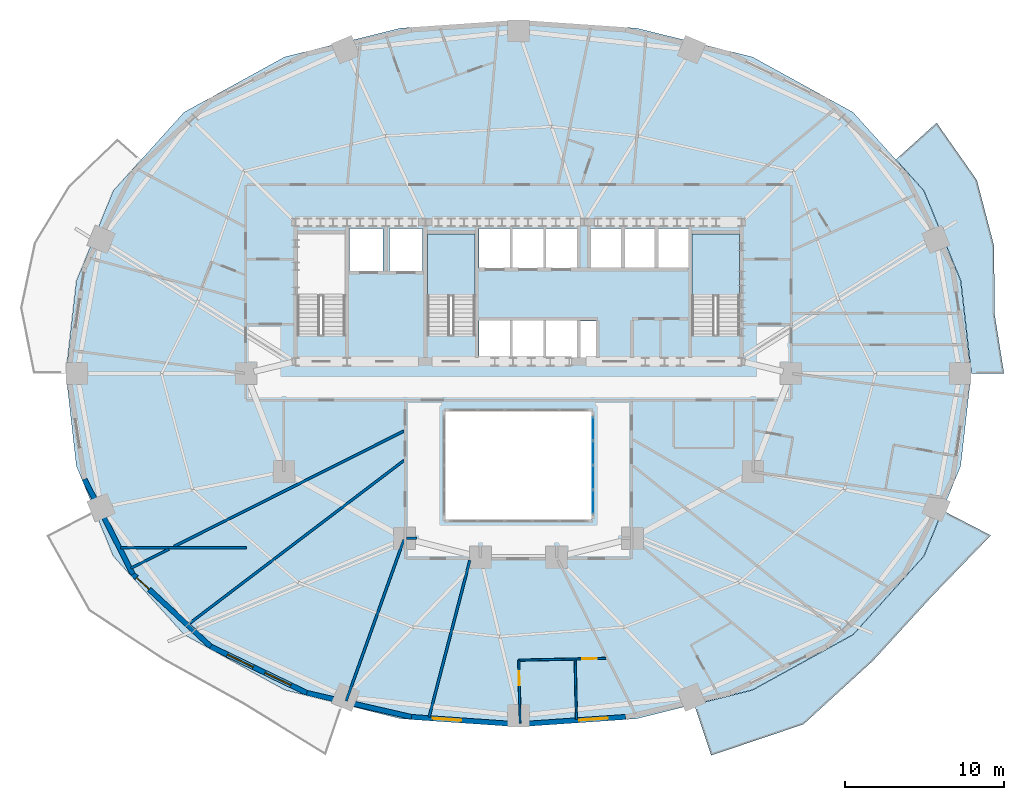
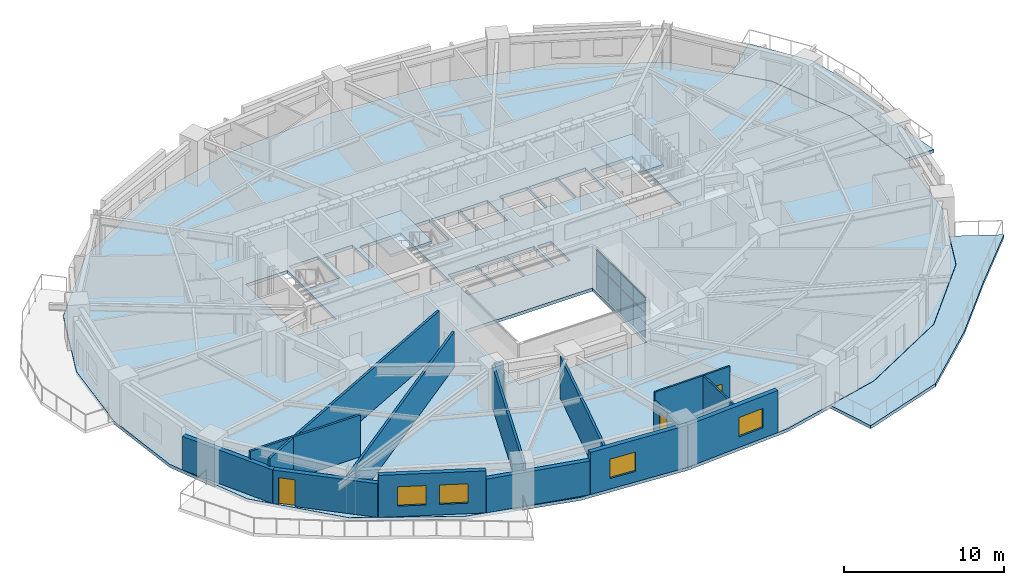
# One storey, part 7 of 16: 16 walls, 8 plates, 5 slabs, 4 windows, 3 doors, 7 openings, 3 elements without a shape of their own.
"""IFC4 building model written with IfcOpenShell, lengths in metres."""

from ifc_helpers import new_model, si_unit, direction, frame, frame_2d, origin, origin_2d, place, context, subcontext, project, spatial, polyline, rectangle, outline, extrude, material, layer, layer_set, type_object, element, fill, aggregate, save


model = new_model("IFC4")

# Units and contexts
model_context = context("Model", 3, precision=1e-05, world=origin(), true_north=direction((0.0, 1.0)))
body_context = subcontext(model_context, "Body", "Model", "MODEL_VIEW")
ifc_project = project(units=[si_unit("LENGTHUNIT", "METRE"), si_unit("AREAUNIT", "SQUARE_METRE"), si_unit("VOLUMEUNIT", "CUBIC_METRE"), si_unit("PLANEANGLEUNIT", "RADIAN"), si_unit("MASSUNIT", "GRAM", prefix="KILO")], contexts=[model_context])

# Site, building, storey
site_placement = place(None, origin())
site = spatial("IfcSite", under=ifc_project, at=site_placement, CompositionType="ELEMENT")
building_placement = place(site_placement, origin())
building = spatial("IfcBuilding", under=site, at=building_placement, Name="Haldorwick Loom Tower", CompositionType="ELEMENT")
storey_placement = place(building_placement, frame((0.0, 0.0, 88.699951171875)))
storey = spatial("IfcBuildingStorey", under=building, at=storey_placement, Name="L23", CompositionType="ELEMENT", Elevation=88.699951171875)

# Curtain wall, plates
ifc_material_1 = material(Name="Thermally Broken Anodized Aluminium Curtain Wall Framing", Category="aluminium")
curtain_wall_type = type_object("IfcCurtainWallType", Name="ARC-CW-03", PredefinedType="NOTDEFINED", material=ifc_material_1)
curtain_wall_placement = place(storey_placement, origin())
curtain_wall = element("IfcCurtainWall", 1, at=curtain_wall_placement, inside=storey, type_object=curtain_wall_type, Name="L23 Atrium Glazed Screen E", PredefinedType="NOTDEFINED")
ifc_material_2 = material(Name="Triple-Glazed Low-E Argon Insulated Glazing Unit", Category="glass")
ifc_layer_1 = layer(ifc_material_2, 0.04296875, Name="Triple-Glazed Low-E Argon Insulated Glazing Unit", Category="glass")
ifc_layer_set_1 = layer_set([ifc_layer_1], Name="Triple-Glazed Low-E Argon Insulated Glazing Unit")
plate_type = type_object("IfcPlateType", Name="ARC-CWP-03", PredefinedType="CURTAIN_PANEL", material=ifc_layer_set_1)
plate_1_placement = place(storey_placement, frame((40.699951171875, 22.508544921875, 0.066162109375), z_axis=(0.0, 0.0, 1.0), x_axis=(0.0, -1.0, 0.0)))
plate_1 = element("IfcPlate", 2, at=plate_1_placement, type_object=plate_type, Name="CW-03 panel 1.1", PredefinedType="CURTAIN_PANEL", context=body_context, shape_type="SweptSolid", body=[
    extrude(rectangle(XDim=1.450927734375, YDim=0.04296875, at=origin_2d()), origin(), (0.0, 0.0, 1.0), 1.90087890625),
])
plate_2_placement = place(storey_placement, frame((40.699951171875, 22.508544921875, 2.033203125), z_axis=(0.0, 0.0, 1.0), x_axis=(0.0, -1.0, 0.0)))
plate_2 = element("IfcPlate", 3, at=plate_2_placement, type_object=plate_type, Name="CW-03 panel 1.2", PredefinedType="CURTAIN_PANEL", context=body_context, shape_type="SweptSolid", body=[
    extrude(rectangle(XDim=1.450927734375, YDim=0.04296875, at=origin_2d()), origin(), (0.0, 0.0, 1.0), 1.111083984375),
])
plate_3_placement = place(storey_placement, frame((40.699951171875, 20.97509765625, 0.066162109375), z_axis=(0.0, 0.0, 1.0), x_axis=(0.0, -1.0, 0.0)))
plate_3 = element("IfcPlate", 4, at=plate_3_placement, type_object=plate_type, Name="CW-03 panel 2.1", PredefinedType="CURTAIN_PANEL", context=body_context, shape_type="SweptSolid", body=[
    extrude(rectangle(XDim=1.48388671875, YDim=0.04296875, at=origin_2d()), origin(), (0.0, 0.0, 1.0), 1.90087890625),
])
plate_4_placement = place(storey_placement, frame((40.699951171875, 20.97509765625, 2.033203125), z_axis=(0.0, 0.0, 1.0), x_axis=(0.0, -1.0, 0.0)))
plate_4 = element("IfcPlate", 5, at=plate_4_placement, type_object=plate_type, Name="CW-03 panel 2.2", PredefinedType="CURTAIN_PANEL", context=body_context, shape_type="SweptSolid", body=[
    extrude(rectangle(XDim=1.48388671875, YDim=0.04296875, at=origin_2d()), origin(), (0.0, 0.0, 1.0), 1.111083984375),
])
plate_5_placement = place(storey_placement, frame((40.699951171875, 19.425048828125, 0.066162109375), z_axis=(0.0, 0.0, 1.0), x_axis=(0.0, -1.0, 0.0)))
plate_5 = element("IfcPlate", 6, at=plate_5_placement, type_object=plate_type, Name="CW-03 panel 3.1", PredefinedType="CURTAIN_PANEL", context=body_context, shape_type="SweptSolid", body=[
    extrude(rectangle(XDim=1.48388671875, YDim=0.04296875, at=origin_2d()), origin(), (0.0, 0.0, 1.0), 1.90087890625),
])
plate_6_placement = place(storey_placement, frame((40.699951171875, 19.425048828125, 2.033203125), z_axis=(0.0, 0.0, 1.0), x_axis=(0.0, -1.0, 0.0)))
plate_6 = element("IfcPlate", 7, at=plate_6_placement, type_object=plate_type, Name="CW-03 panel 3.2", PredefinedType="CURTAIN_PANEL", context=body_context, shape_type="SweptSolid", body=[
    extrude(rectangle(XDim=1.48388671875, YDim=0.04296875, at=origin_2d()), origin(), (0.0, 0.0, 1.0), 1.111083984375),
])
plate_7_placement = place(storey_placement, frame((40.699951171875, 17.8916015625, 0.066162109375), z_axis=(0.0, 0.0, 1.0), x_axis=(0.0, -1.0, 0.0)))
plate_7 = element("IfcPlate", 8, at=plate_7_placement, type_object=plate_type, Name="CW-03 panel 4.1", PredefinedType="CURTAIN_PANEL", context=body_context, shape_type="SweptSolid", body=[
    extrude(rectangle(XDim=1.450927734375, YDim=0.04296875, at=origin_2d()), origin(), (0.0, 0.0, 1.0), 1.90087890625),
])
plate_8_placement = place(storey_placement, frame((40.699951171875, 17.8916015625, 2.033203125), z_axis=(0.0, 0.0, 1.0), x_axis=(0.0, -1.0, 0.0)))
plate_8 = element("IfcPlate", 9, at=plate_8_placement, type_object=plate_type, Name="CW-03 panel 4.2", PredefinedType="CURTAIN_PANEL", context=body_context, shape_type="SweptSolid", body=[
    extrude(rectangle(XDim=1.450927734375, YDim=0.04296875, at=origin_2d()), origin(), (0.0, 0.0, 1.0), 1.111083984375),
])
aggregate(curtain_wall, [plate_1, plate_2, plate_3, plate_4, plate_5, plate_6, plate_7, plate_8])

# Slabs
ifc_material_3 = material(Name="Concrete C40 (40 MPa)", Category="concrete")
ifc_layer_2 = layer(ifc_material_3, 0.239990234375, Name="Concrete C40 (40 MPa)", Category="concrete")
ifc_layer_set_2 = layer_set([ifc_layer_2], Name="Concrete C40 (40 MPa)")
slab_type_1 = type_object("IfcSlabType", Name="STR-SLB-BAL240", PredefinedType="FLOOR", material=ifc_layer_set_2)
slab_1_placement = place(storey_placement, frame((0.0, 0.0, -0.239990234375)))
element("IfcSlab", 10, at=slab_1_placement, inside=storey, type_object=slab_type_1, Name="L23 Sinusoidal Balcony Terrace BAL_SE", PredefinedType="FLOOR", context=body_context, shape_type="SweptSolid", body=[
    extrude(outline(polyline([(62.758544921875, 17.34814453125), (61.580078125, 14.468994140625), (61.579345703125, 14.4677734375), (61.578857421875, 14.466552734375), (61.578125, 14.465576171875), (61.5771484375, 14.464599609375), (57.11279296875, 9.51318359375), (57.11181640625, 9.51220703125), (57.1103515625, 9.510986328125), (57.10888671875, 9.51025390625), (50.767822265625, 6.0244140625), (50.7666015625, 6.023681640625), (50.765380859375, 6.023193359375), (50.76416015625, 6.022705078125), (47.08642578125, 5.10498046875), (48.155517578125, 1.90185546875), (53.978271484375, 3.8662109375), (58.376708984375, 7.890380859375), (62.07080078125, 11.92578125), (65.7939453125, 15.780517578125), (62.758544921875, 17.34814453125)])), origin(), (0.0, 0.0, 1.0), 0.239990234375),
])
slab_2_placement = place(storey_placement, frame((0.0, 0.0, -0.239990234375)))
element("IfcSlab", 11, at=slab_2_placement, inside=storey, type_object=slab_type_1, Name="L23 Sinusoidal Balcony Terrace BAL_ENE", PredefinedType="FLOOR", context=body_context, shape_type="SweptSolid", body=[
    extrude(outline(polyline([(59.813232421875, 39.491943359375), (61.5771484375, 37.535400390625), (61.578125, 37.534423828125), (61.578857421875, 37.533447265625), (61.579345703125, 37.5322265625), (61.580078125, 37.531005859375), (63.90869140625, 31.841796875), (63.9091796875, 31.840576171875), (63.909423828125, 31.83935546875), (63.90966796875, 31.837890625), (64.572509765625, 26.001708984375), (64.572509765625, 26.0), (66.629150390625, 26.0), (66.019287109375, 29.846435546875), (66.01025390625, 34.008056640625), (64.916015625, 38.197509765625), (62.3779296875, 41.81201171875), (59.813232421875, 39.491943359375)])), origin(), (0.0, 0.0, 1.0), 0.239990234375),
])

# Stair, slab
stair_type = type_object("IfcStairType", Name="STR-STR-CORE", PredefinedType="HALF_TURN_STAIR", material=ifc_material_3)
stair_1_placement = place(storey_placement, origin())
stair_1 = element("IfcStair", 12, at=stair_1_placement, inside=storey, type_object=stair_type, Name="L23 Exit Stair ST-02", PredefinedType="HALF_TURN_STAIR")
ifc_layer_3 = layer(ifc_material_3, 0.199951171875, Name="Concrete C40 (40 MPa)", Category="concrete")
ifc_layer_set_3 = layer_set([ifc_layer_3], Name="Concrete C40 (40 MPa)")
slab_type_2 = type_object("IfcSlabType", Name="STR-SLB-LAND200", PredefinedType="LANDING", material=ifc_layer_set_3)
slab_3_placement = place(storey_placement, frame((0.0, 0.0, 1.525146484375)))
slab_3 = element("IfcSlab", 13, at=slab_3_placement, type_object=slab_type_2, Name="ST-02 landing 1", PredefinedType="LANDING", context=body_context, shape_type="SweptSolid", body=[
    extrude(outline(polyline([(49.949951171875, 30.919921875), (49.949951171875, 34.800048828125), (46.949951171875, 34.800048828125), (46.949951171875, 30.919921875), (49.949951171875, 30.919921875)])), origin(), (0.0, 0.0, 1.0), 0.199951171875),
])
aggregate(stair_1, [slab_3])

stair_2_placement = place(storey_placement, origin())
stair_2 = element("IfcStair", 14, at=stair_2_placement, inside=storey, type_object=stair_type, Name="L23 Exit Stair ST-03", PredefinedType="HALF_TURN_STAIR")
slab_4_placement = place(storey_placement, frame((0.0, 0.0, 1.525146484375)))
slab_4 = element("IfcSlab", 15, at=slab_4_placement, type_object=slab_type_2, Name="ST-03 landing 1", PredefinedType="LANDING", context=body_context, shape_type="SweptSolid", body=[
    extrude(outline(polyline([(33.25, 30.919921875), (33.25, 34.800048828125), (30.25, 34.800048828125), (30.25, 30.919921875), (33.25, 30.919921875)])), origin(), (0.0, 0.0, 1.0), 0.199951171875),
])
aggregate(stair_2, [slab_4])

# Slab
ifc_layer_4 = layer(ifc_material_3, 0.239990234375, Name="Concrete C40 (40 MPa)", Category="concrete")
ifc_layer_set_4 = layer_set([ifc_layer_4], Name="Concrete C40 (40 MPa)")
slab_type_3 = type_object("IfcSlabType", Name="STR-SLB-RES240", PredefinedType="FLOOR", material=ifc_layer_set_4)
slab_5_placement = place(storey_placement, frame((0.0, 0.0, -0.239990234375)))
element("IfcSlab", 16, at=slab_5_placement, inside=storey, type_object=slab_type_3, Name="L23 Residential Structural Floor Slab", PredefinedType="FLOOR", context=body_context, shape_type="SweptSolid", body=[
    extrude(outline(polyline([(57.101806640625, 9.523193359375), (61.566162109375, 14.474609375), (63.894775390625, 20.163818359375), (64.5576171875, 26.0), (63.894775390625, 31.836181640625), (61.566162109375, 37.525390625), (57.101806640625, 42.476806640625), (50.760498046875, 45.962646484375), (43.474365234375, 47.781005859375), (36.0, 48.29833984375), (28.525634765625, 47.781005859375), (21.239501953125, 45.962646484375), (14.898193359375, 42.476806640625), (10.433837890625, 37.525390625), (8.105224609375, 31.836181640625), (7.4423828125, 26.0), (8.105224609375, 20.163818359375), (10.433837890625, 14.474609375), (14.898193359375, 9.523193359375), (21.239501953125, 6.037353515625), (28.525634765625, 4.218994140625), (36.0, 3.70166015625), (43.474365234375, 4.218994140625), (50.760498046875, 6.037353515625), (57.101806640625, 9.523193359375)]), holes=[polyline([(31.39990234375, 23.60009765625), (40.60009765625, 23.60009765625), (40.60009765625, 16.800048828125), (31.39990234375, 16.800048828125), (31.39990234375, 23.60009765625)]), polyline([(33.5, 26.85009765625), (33.5, 29.35009765625), (35.5, 29.35009765625), (35.5, 26.85009765625), (33.5, 26.85009765625)]), polyline([(22.050048828125, 28.39990234375), (22.050048828125, 34.800048828125), (25.050048828125, 34.800048828125), (25.050048828125, 28.639892578125), (23.6201171875, 28.639892578125), (23.6201171875, 28.39990234375), (22.050048828125, 28.39990234375)]), polyline([(30.25, 28.39990234375), (30.25, 34.800048828125), (33.25, 34.800048828125), (33.25, 28.639892578125), (31.820068359375, 28.639892578125), (31.820068359375, 28.39990234375), (30.25, 28.39990234375)]), polyline([(25.35009765625, 32.449951171875), (25.35009765625, 35.14990234375), (27.449951171875, 35.14990234375), (27.449951171875, 32.449951171875), (25.35009765625, 32.449951171875)]), polyline([(27.85009765625, 32.449951171875), (27.85009765625, 35.14990234375), (29.949951171875, 35.14990234375), (29.949951171875, 32.449951171875), (27.85009765625, 32.449951171875)]), polyline([(33.5, 32.64990234375), (33.5, 35.14990234375), (35.5, 35.14990234375), (35.5, 32.64990234375), (33.5, 32.64990234375)]), polyline([(35.60009765625, 32.64990234375), (35.60009765625, 35.14990234375), (37.60009765625, 35.14990234375), (37.60009765625, 32.64990234375), (35.60009765625, 32.64990234375)]), polyline([(35.60009765625, 26.85009765625), (35.60009765625, 29.35009765625), (37.60009765625, 29.35009765625), (37.60009765625, 26.85009765625), (35.60009765625, 26.85009765625)]), polyline([(37.699951171875, 26.85009765625), (37.699951171875, 29.35009765625), (39.699951171875, 29.35009765625), (39.699951171875, 26.85009765625), (37.699951171875, 26.85009765625)]), polyline([(39.89990234375, 26.89990234375), (39.89990234375, 29.300048828125), (40.89990234375, 29.300048828125), (40.89990234375, 26.89990234375), (39.89990234375, 26.89990234375)]), polyline([(46.949951171875, 28.39990234375), (46.949951171875, 34.800048828125), (49.949951171875, 34.800048828125), (49.949951171875, 28.639892578125), (48.52001953125, 28.639892578125), (48.52001953125, 28.39990234375), (46.949951171875, 28.39990234375)]), polyline([(37.699951171875, 32.64990234375), (37.699951171875, 35.14990234375), (39.699951171875, 35.14990234375), (39.699951171875, 32.64990234375), (37.699951171875, 32.64990234375)]), polyline([(40.550048828125, 32.64990234375), (40.550048828125, 35.14990234375), (42.550048828125, 35.14990234375), (42.550048828125, 32.64990234375), (40.550048828125, 32.64990234375)]), polyline([(42.64990234375, 32.64990234375), (42.64990234375, 35.14990234375), (44.64990234375, 35.14990234375), (44.64990234375, 32.64990234375), (42.64990234375, 32.64990234375)]), polyline([(44.75, 32.64990234375), (44.75, 35.14990234375), (46.75, 35.14990234375), (46.75, 32.64990234375), (44.75, 32.64990234375)])]), origin(), (0.0, 0.0, 1.0), 0.239990234375),
])

# Wall
ifc_material_4 = material(Name="Pressed Clay Face Brick and Insulated Masonry Backup Assembly", Category="masonry")
ifc_layer_5 = layer(ifc_material_4, 0.320068359375, Name="Pressed Clay Face Brick and Insulated Masonry Backup Assembly", Category="masonry")
ifc_layer_set_5 = layer_set([ifc_layer_5], Name="Pressed Clay Face Brick and Insulated Masonry Backup Assembly")
wall_type_1 = type_object("IfcWallType", Name="ARC-WL-EXT320", PredefinedType="STANDARD", material=ifc_layer_set_5)
wall_1_placement = place(storey_placement, frame((8.619384765625, 19.324951171875, 0.0), z_axis=(0.0, 0.0, 1.0), x_axis=(0.453374078001, -0.89132033826, 0.0)))
element("IfcWall", 17, at=wall_1_placement, inside=storey, type_object=wall_type_1, Name="L23 Brick Pier and Spandrel Wall 14", PredefinedType="STANDARD", context=body_context, shape_type="SweptSolid", body=[
    extrude(rectangle(XDim=6.709716796875, YDim=0.320068359375, at=frame_2d((3.35498046875, 0.0))), origin(), (0.0, 0.0, 1.0), 2.569091796875),
])

# Wall, opening, door
wall_2_placement = place(storey_placement, frame((11.661376953125, 13.344482421875, 0.0), z_axis=(0.0, 0.0, 1.0), x_axis=(0.732137360086, -0.681157020052, 0.0)))
wall_2 = element("IfcWall", 18, at=wall_2_placement, inside=storey, type_object=wall_type_1, Name="L23 Brick Pier and Spandrel Wall 15", PredefinedType="STANDARD", context=body_context, shape_type="SweptSolid", body=[
    extrude(rectangle(XDim=6.709228515625, YDim=0.320068359375, at=frame_2d((3.3544921875, 0.0))), origin(), (0.0, 0.0, 1.0), 2.569091796875),
])
opening_1_placement = place(wall_2_placement, frame((0.340087890625, 0.0, 0.0)))
opening_1 = element("IfcOpeningElement", 19, at=opening_1_placement, cuts=wall_2, Name="Opening D-BL11", PredefinedType="OPENING", context=body_context, shape_type="SweptSolid", body=[
    extrude(rectangle(XDim=1.080078125, YDim=2.0400390625, at=frame_2d((0.5400390625, 1.02001953125))), frame((0.0, 0.169921875, 0.0), z_axis=(0.0, -1.0, 0.0), x_axis=(1.0, 0.0, 0.0)), (0.0, 0.0, 1.0), 0.340087890625),
])
door_type_1 = type_object("IfcDoorType", Name="ARC-DR-BAL110", OperationType="NOTDEFINED", PredefinedType="DOOR", material=ifc_material_1)
door_1_placement = place(opening_1_placement, origin())
door_1 = element("IfcDoor", 20, at=door_1_placement, inside=storey, type_object=door_type_1, Name="L23 Outdoor Terrace Door SLB-L23-BAL_SW", OperationType="SINGLE_SWING_LEFT", OverallHeight=2.0400390625, OverallWidth=1.080078125, PredefinedType="DOOR", context=body_context, shape_type="SweptSolid", body=[
    extrude(rectangle(XDim=1.080078125, YDim=2.0400390625, at=frame_2d((0.5400390625, 1.02001953125))), frame((0.0, 0.02490234375, 0.0), z_axis=(0.0, -1.0, 0.0), x_axis=(1.0, 0.0, 0.0)), (0.0, 0.0, 1.0), 0.050048828125),
])
fill(opening_1, door_1)

# Wall, openings, windows
wall_3_placement = place(storey_placement, frame((16.573486328125, 8.7744140625, 0.0), z_axis=(0.0, 0.0, 1.0), x_axis=(0.900510094661, -0.434835106004, 0.0)))
wall_3 = element("IfcWall", 21, at=wall_3_placement, inside=storey, type_object=wall_type_1, Name="L23 Brick Pier and Spandrel Wall 16", PredefinedType="STANDARD", context=body_context, shape_type="SweptSolid", body=[
    extrude(rectangle(XDim=6.744873046875, YDim=0.320068359375, at=frame_2d((3.37255859375, 0.0))), origin(), (0.0, 0.0, 1.0), 3.2099609375),
])
opening_2_placement = place(wall_3_placement, frame((1.180908203125, 0.0, 0.800048828125)))
opening_2 = element("IfcOpeningElement", 22, at=opening_2_placement, cuts=wall_3, Name="Opening W-01", PredefinedType="OPENING", context=body_context, shape_type="SweptSolid", body=[
    extrude(rectangle(XDim=1.800048828125, YDim=1.47998046875, at=frame_2d((0.89990234375, 0.739990234375))), frame((0.0, 0.169921875, 0.0), z_axis=(0.0, -1.0, 0.0), x_axis=(1.0, 0.0, 0.0)), (0.0, 0.0, 1.0), 0.340087890625),
])
opening_3_placement = place(wall_3_placement, frame((3.8212890625, 0.0, 0.800048828125)))
opening_3 = element("IfcOpeningElement", 23, at=opening_3_placement, cuts=wall_3, Name="Opening W-01", PredefinedType="OPENING", context=body_context, shape_type="SweptSolid", body=[
    extrude(rectangle(XDim=1.800048828125, YDim=1.47998046875, at=frame_2d((0.89990234375, 0.739990234375))), frame((0.0, 0.169921875, 0.0), z_axis=(0.0, -1.0, 0.0), x_axis=(1.0, 0.0, 0.0)), (0.0, 0.0, 1.0), 0.340087890625),
])
window_type = type_object("IfcWindowType", Name="ARC-WIN-W180", PartitioningType="SINGLE_PANEL", PredefinedType="WINDOW", material=ifc_material_2)
window_1_placement = place(opening_2_placement, origin())
window_1 = element("IfcWindow", 24, at=window_1_placement, inside=storey, type_object=window_type, Name="L23 Deep-Set Zone 7A Window 16", OverallHeight=1.47998046875, OverallWidth=1.800048828125, PartitioningType="SINGLE_PANEL", PredefinedType="WINDOW", context=body_context, shape_type="SweptSolid", body=[
    extrude(rectangle(XDim=1.800048828125, YDim=1.47998046875, at=frame_2d((0.89990234375, 0.739990234375))), frame((0.0, 0.030029296875, 0.0), z_axis=(0.0, -1.0, 0.0), x_axis=(1.0, 0.0, 0.0)), (0.0, 0.0, 1.0), 0.06005859375),
])
fill(opening_2, window_1)
window_2_placement = place(opening_3_placement, origin())
window_2 = element("IfcWindow", 25, at=window_2_placement, inside=storey, type_object=window_type, Name="L23 Deep-Set Zone 7A Window 16", OverallHeight=1.47998046875, OverallWidth=1.800048828125, PartitioningType="SINGLE_PANEL", PredefinedType="WINDOW", context=body_context, shape_type="SweptSolid", body=[
    extrude(rectangle(XDim=1.800048828125, YDim=1.47998046875, at=frame_2d((0.89990234375, 0.739990234375))), frame((0.0, 0.030029296875, 0.0), z_axis=(0.0, -1.0, 0.0), x_axis=(1.0, 0.0, 0.0)), (0.0, 0.0, 1.0), 0.06005859375),
])
fill(opening_3, window_2)

# Wall
wall_4_placement = place(storey_placement, frame((22.647216796875, 5.841552734375, 0.0), z_axis=(0.0, 0.0, 1.0), x_axis=(0.974584177714, -0.224021607329, 0.0)))
element("IfcWall", 26, at=wall_4_placement, inside=storey, type_object=wall_type_1, Name="L23 Brick Pier and Spandrel Wall 17", PredefinedType="STANDARD", context=body_context, shape_type="SweptSolid", body=[
    extrude(rectangle(XDim=6.767822265625, YDim=0.320068359375, at=frame_2d((3.3837890625, 0.0))), origin(), (0.0, 0.0, 1.0), 2.569091796875),
])

# Wall, opening, window
wall_5_placement = place(storey_placement, frame((29.242919921875, 4.325439453125, 0.0), z_axis=(0.0, 0.0, 1.0), x_axis=(0.997651949344, -0.068487867318, 0.0)))
wall_5 = element("IfcWall", 27, at=wall_5_placement, inside=storey, type_object=wall_type_1, Name="L23 Brick Pier and Spandrel Wall 18", PredefinedType="STANDARD", context=body_context, shape_type="SweptSolid", body=[
    extrude(rectangle(XDim=6.77294921875, YDim=0.320068359375, at=frame_2d((3.386474609375, 0.0))), origin(), (0.0, 0.0, 1.0), 3.2099609375),
])
opening_4_placement = place(wall_5_placement, frame((1.353515625, 0.0, 0.800048828125)))
opening_4 = element("IfcOpeningElement", 28, at=opening_4_placement, cuts=wall_5, Name="Opening W-01", PredefinedType="OPENING", context=body_context, shape_type="SweptSolid", body=[
    extrude(rectangle(XDim=1.800048828125, YDim=1.47998046875, at=frame_2d((0.89990234375, 0.739990234375))), frame((0.0, 0.169921875, 0.0), z_axis=(0.0, -1.0, 0.0), x_axis=(1.0, 0.0, 0.0)), (0.0, 0.0, 1.0), 0.340087890625),
])
window_3_placement = place(opening_4_placement, origin())
window_3 = element("IfcWindow", 29, at=window_3_placement, inside=storey, type_object=window_type, Name="L23 Deep-Set Zone 7A Window 18", OverallHeight=1.47998046875, OverallWidth=1.800048828125, PartitioningType="SINGLE_PANEL", PredefinedType="WINDOW", context=body_context, shape_type="SweptSolid", body=[
    extrude(rectangle(XDim=1.800048828125, YDim=1.47998046875, at=frame_2d((0.89990234375, 0.739990234375))), frame((0.0, 0.030029296875, 0.0), z_axis=(0.0, -1.0, 0.0), x_axis=(1.0, 0.0, 0.0)), (0.0, 0.0, 1.0), 0.06005859375),
])
fill(opening_4, window_3)

wall_6_placement = place(storey_placement, frame((36.0, 3.861572265625, 0.0), z_axis=(0.0, 0.0, 1.0), x_axis=(0.997651949344, 0.068487867318, 0.0)))
wall_6 = element("IfcWall", 30, at=wall_6_placement, inside=storey, type_object=wall_type_1, Name="L23 Brick Pier and Spandrel Wall 19", PredefinedType="STANDARD", context=body_context, shape_type="SweptSolid", body=[
    extrude(rectangle(XDim=6.77294921875, YDim=0.320068359375, at=frame_2d((3.386474609375, 0.0))), origin(), (0.0, 0.0, 1.0), 3.2099609375),
])
opening_5_placement = place(wall_6_placement, frame((3.841064453125, 0.0, 0.800048828125)))
opening_5 = element("IfcOpeningElement", 31, at=opening_5_placement, cuts=wall_6, Name="Opening W-01", PredefinedType="OPENING", context=body_context, shape_type="SweptSolid", body=[
    extrude(rectangle(XDim=1.800048828125, YDim=1.47998046875, at=frame_2d((0.89990234375, 0.739990234375))), frame((0.0, 0.169921875, 0.0), z_axis=(0.0, -1.0, 0.0), x_axis=(1.0, 0.0, 0.0)), (0.0, 0.0, 1.0), 0.340087890625),
])
window_4_placement = place(opening_5_placement, origin())
window_4 = element("IfcWindow", 32, at=window_4_placement, inside=storey, type_object=window_type, Name="L23 Deep-Set Zone 7A Window 19", OverallHeight=1.47998046875, OverallWidth=1.800048828125, PartitioningType="SINGLE_PANEL", PredefinedType="WINDOW", context=body_context, shape_type="SweptSolid", body=[
    extrude(rectangle(XDim=1.800048828125, YDim=1.47998046875, at=frame_2d((0.89990234375, 0.739990234375))), frame((0.0, 0.030029296875, 0.0), z_axis=(0.0, -1.0, 0.0), x_axis=(1.0, 0.0, 0.0)), (0.0, 0.0, 1.0), 0.06005859375),
])
fill(opening_5, window_4)

# Walls
ifc_material_5 = material(Name="Fire-Rated Type X Gypsum Stud Assembly EI 60")
ifc_layer_6 = layer(ifc_material_5, 0.159912109375, Name="Fire-Rated Type X Gypsum Stud Assembly EI 60")
ifc_layer_set_6 = layer_set([ifc_layer_6], Name="Fire-Rated Type X Gypsum Stud Assembly EI 60")
wall_type_2 = type_object("IfcWallType", Name="ARC-WL-FIRE160", PredefinedType="PARTITIONING", material=ifc_layer_set_6)
wall_7_placement = place(storey_placement, frame((28.76708984375, 15.5078125, 0.0), z_axis=(0.0, 0.0, 1.0), x_axis=(-0.337029319977, -0.941494151589, 0.0)))
element("IfcWall", 33, at=wall_7_placement, inside=storey, type_object=wall_type_2, Name="L23 Residential Fire Partition L23-ICR-10", PredefinedType="PARTITIONING", context=body_context, shape_type="SweptSolid", body=[
    extrude(rectangle(XDim=10.80126953125, YDim=0.159912109375, at=frame_2d((5.400634765625, 0.0))), origin(), (0.0, 0.0, 1.0), 3.195068359375),
])
wall_8_placement = place(storey_placement, frame((29.550048828125, 15.60009765625, 0.0), z_axis=(0.0, 0.0, 1.0), x_axis=(-1.0, 0.0, 0.0)))
element("IfcWall", 34, at=wall_8_placement, inside=storey, type_object=wall_type_2, Name="L23 Residential Fire Partition L23-ICA-09", PredefinedType="PARTITIONING", context=body_context, shape_type="SweptSolid", body=[
    extrude(rectangle(XDim=0.616943359375, YDim=0.159912109375, at=frame_2d((0.30859375, 0.0))), origin(), (0.0, 0.0, 1.0), 3.195068359375),
])
wall_9_placement = place(storey_placement, frame((10.89208984375, 15.0, 0.0), z_axis=(0.0, 0.0, 1.0), x_axis=(1.0, 0.0, 0.0)))
element("IfcWall", 35, at=wall_9_placement, inside=storey, type_object=wall_type_2, Name="L23 Residential Fire Partition L23-FLW-16", PredefinedType="PARTITIONING", context=body_context, shape_type="SweptSolid", body=[
    extrude(rectangle(XDim=7.9580078125, YDim=0.159912109375, at=frame_2d((3.97900390625, 0.0))), origin(), (0.0, 0.0, 1.0), 3.195068359375),
])
wall_10_placement = place(storey_placement, frame((32.933349609375, 14.217041015625, 0.0), z_axis=(0.0, 0.0, 1.0), x_axis=(-0.251876990482, -0.967759258114, 0.0)))
element("IfcWall", 36, at=wall_10_placement, inside=storey, type_object=wall_type_2, Name="L23 Suite Split Wall", PredefinedType="PARTITIONING", context=body_context, shape_type="SweptSolid", body=[
    extrude(rectangle(XDim=10.232666015625, YDim=0.159912109375, at=frame_2d((5.1162109375, 0.0))), origin(), (0.0, 0.0, 1.0), 3.195068359375),
])
wall_11_placement = place(storey_placement, frame((28.76708984375, 22.365966796875, 0.0), z_axis=(0.0, 0.0, 1.0), x_axis=(-0.893564716525, -0.448934402093, 0.0)))
element("IfcWall", 37, at=wall_11_placement, inside=storey, type_object=wall_type_2, Name="L23 Suite Split Wall", PredefinedType="PARTITIONING", context=body_context, shape_type="SweptSolid", body=[
    extrude(rectangle(XDim=16.22265625, YDim=0.159912109375, at=frame_2d((8.111328125, 0.0))), origin(), (0.0, 0.0, 1.0), 3.195068359375),
])
wall_12_placement = place(storey_placement, frame((13.940673828125, 14.9169921875, 0.0), z_axis=(0.0, 0.0, 1.0), x_axis=(-0.89356906561, -0.448925745514, 0.0)))
element("IfcWall", 38, at=wall_12_placement, inside=storey, type_object=wall_type_2, Name="L23 Suite Split Wall", PredefinedType="PARTITIONING", context=body_context, shape_type="SweptSolid", body=[
    extrude(rectangle(XDim=2.679443359375, YDim=0.159912109375, at=frame_2d((1.33984375, 0.0))), origin(), (0.0, 0.0, 1.0), 3.195068359375),
])
wall_13_placement = place(storey_placement, frame((28.76708984375, 20.505126953125, 0.0), z_axis=(0.0, 0.0, 1.0), x_axis=(-0.796283367335, -0.604923795949, 0.0)))
element("IfcWall", 39, at=wall_13_placement, inside=storey, type_object=wall_type_2, Name="L23 Suite Split Wall", PredefinedType="PARTITIONING", context=body_context, shape_type="SweptSolid", body=[
    extrude(rectangle(XDim=17.080810546875, YDim=0.159912109375, at=frame_2d((8.54052734375, 0.0))), origin(), (0.0, 0.0, 1.0), 2.718994140625),
])

# Wall, opening, door
ifc_material_6 = material(Name="Acoustic Gypsum Stud Assembly STC 55")
ifc_layer_7 = layer(ifc_material_6, 0.1201171875, Name="Acoustic Gypsum Stud Assembly STC 55")
ifc_layer_set_7 = layer_set([ifc_layer_7], Name="Acoustic Gypsum Stud Assembly STC 55")
wall_type_3 = type_object("IfcWallType", Name="ARC-WL-PART120", PredefinedType="PARTITIONING", material=ifc_layer_set_7)
wall_14_placement = place(storey_placement, frame((36.01611328125, 7.908203125, 0.0), z_axis=(0.0, 0.0, 1.0), x_axis=(0.999776534669, 0.021139553594, 0.0)))
wall_14 = element("IfcWall", 40, at=wall_14_placement, inside=storey, type_object=wall_type_3, Name="L23 Unit 23H Interior Partition", PredefinedType="PARTITIONING", context=body_context, shape_type="SweptSolid", body=[
    extrude(rectangle(XDim=5.497314453125, YDim=0.1201171875, at=frame_2d((2.74853515625, 0.0))), origin(), (0.0, 0.0, 1.0), 3.195068359375),
])
opening_6_placement = place(wall_14_placement, frame((4.0166015625, 0.0, 0.0)))
opening_6 = element("IfcOpeningElement", 41, at=opening_6_placement, cuts=wall_14, Name="Opening D-IN90", PredefinedType="OPENING", context=body_context, shape_type="SweptSolid", body=[
    extrude(rectangle(XDim=0.89990234375, YDim=2.0400390625, at=frame_2d((0.449951171875, 1.02001953125))), frame((0.0, 0.070068359375, 0.0), z_axis=(0.0, -1.0, 0.0), x_axis=(1.0, 0.0, 0.0)), (0.0, 0.0, 1.0), 0.14013671875),
])
ifc_material_7 = material(Name="Solid Core Birch Architectural Door")
door_type_2 = type_object("IfcDoorType", Name="ARC-DR-INT90", OperationType="NOTDEFINED", PredefinedType="DOOR", material=ifc_material_7)
door_2_placement = place(opening_6_placement, origin())
door_2 = element("IfcDoor", 42, at=door_2_placement, inside=storey, type_object=door_type_2, Name="L23 Unit 23H Kitchen and Living Room to Unit 23H Bedroom 1 Door", OperationType="SINGLE_SWING_RIGHT", OverallHeight=2.0400390625, OverallWidth=0.89990234375, PredefinedType="DOOR", context=body_context, shape_type="SweptSolid", body=[
    extrude(rectangle(XDim=0.89990234375, YDim=2.0400390625, at=frame_2d((0.449951171875, 1.02001953125))), frame((0.0, 0.02490234375, 0.0), z_axis=(0.0, -1.0, 0.0), x_axis=(1.0, 0.0, 0.0)), (0.0, 0.0, 1.0), 0.050048828125),
])
fill(opening_6, door_2)

wall_15_placement = place(storey_placement, frame((36.01611328125, 7.908203125, 0.0), z_axis=(0.0, 0.0, 1.0), x_axis=(0.021125505533, -0.999776831606, 0.0)))
wall_15 = element("IfcWall", 43, at=wall_15_placement, inside=storey, type_object=wall_type_3, Name="L23 Unit 23H Interior Partition", PredefinedType="PARTITIONING", context=body_context, shape_type="SweptSolid", body=[
    extrude(rectangle(XDim=3.9755859375, YDim=0.1201171875, at=frame_2d((1.98779296875, 0.0))), origin(), (0.0, 0.0, 1.0), 2.568115234375),
])
opening_7_placement = place(wall_15_placement, frame((0.702392578125, 0.0, 0.0)))
opening_7 = element("IfcOpeningElement", 44, at=opening_7_placement, cuts=wall_15, Name="Opening D-BT88", PredefinedType="OPENING", context=body_context, shape_type="SweptSolid", body=[
    extrude(rectangle(XDim=0.8798828125, YDim=2.02001953125, at=frame_2d((0.43994140625, 1.010009765625))), frame((0.0, 0.070068359375, 0.0), z_axis=(0.0, -1.0, 0.0), x_axis=(1.0, 0.0, 0.0)), (0.0, 0.0, 1.0), 0.14013671875),
])
door_type_3 = type_object("IfcDoorType", Name="ARC-DR-BATH88", OperationType="NOTDEFINED", PredefinedType="DOOR", material=ifc_material_7)
door_3_placement = place(opening_7_placement, origin())
door_3 = element("IfcDoor", 45, at=door_3_placement, inside=storey, type_object=door_type_3, Name="L23 Unit 23H Bathroom to Unit 23H Kitchen and Living Room Door", OperationType="SINGLE_SWING_LEFT", OverallHeight=2.02001953125, OverallWidth=0.8798828125, PredefinedType="DOOR", context=body_context, shape_type="SweptSolid", body=[
    extrude(rectangle(XDim=0.8798828125, YDim=2.02001953125, at=frame_2d((0.43994140625, 1.010009765625))), frame((0.0, 0.02490234375, 0.0), z_axis=(0.0, -1.0, 0.0), x_axis=(1.0, 0.0, 0.0)), (0.0, 0.0, 1.0), 0.050048828125),
])
fill(opening_7, door_3)

# Wall
wall_16_placement = place(storey_placement, frame((39.574462890625, 7.92041015625, 0.0), z_axis=(0.0, 0.0, 1.0), x_axis=(0.021128932879, -0.999776759179, 0.0)))
element("IfcWall", 46, at=wall_16_placement, inside=storey, type_object=wall_type_3, Name="L23 Unit 23H Interior Partition", PredefinedType="PARTITIONING", context=body_context, shape_type="SweptSolid", body=[
    extrude(rectangle(XDim=3.74365234375, YDim=0.1201171875, at=frame_2d((1.871826171875, 0.0))), origin(), (0.0, 0.0, 1.0), 3.195068359375),
])

save(model, "model.ifc")
